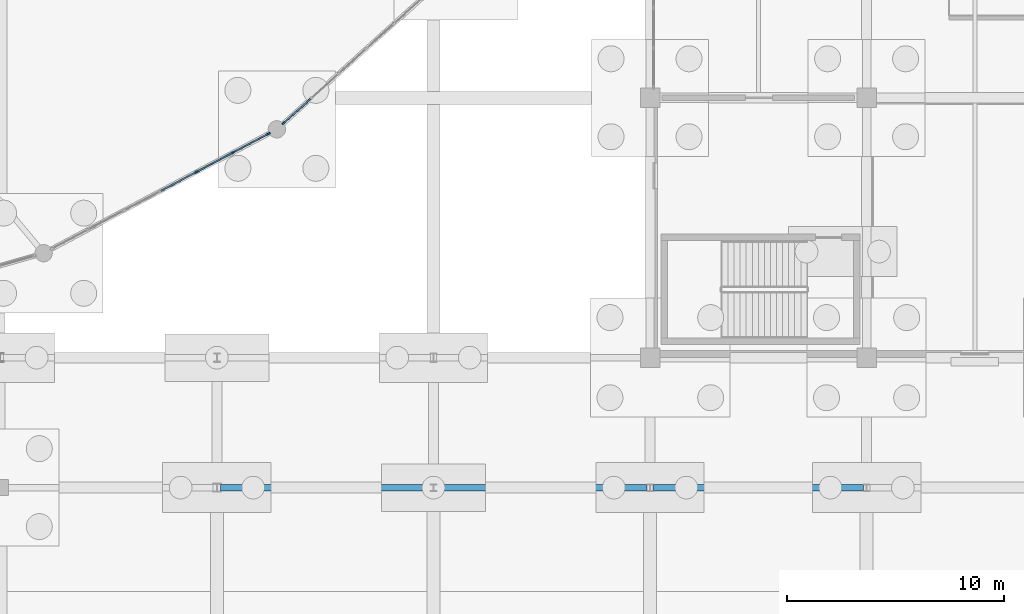
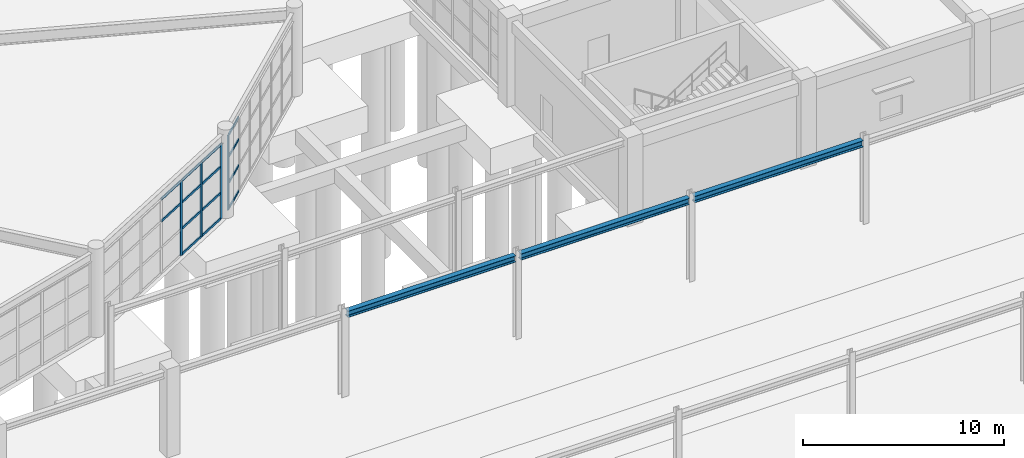
# One storey, part 35 of 99: 18 members, 3 beams, 2 elements without a shape of their own.
"""IFC4 building model written with IfcOpenShell, lengths in metres."""

from ifc_helpers import new_model, si_unit, direction, frame, origin, origin_2d, place, context, subcontext, project, spatial, rectangle, i_section, extrude, material, layer, layer_set, material_profile, profile_set, type_object, element, aggregate, save


model = new_model("IFC4")

# Units and contexts
model_context = context("Model", 3, precision=1e-05, world=origin(), true_north=direction((0.0, 1.0)))
body_context = subcontext(model_context, "Body", "Model", "MODEL_VIEW")
ifc_project = project(units=[si_unit("LENGTHUNIT", "METRE"), si_unit("AREAUNIT", "SQUARE_METRE"), si_unit("VOLUMEUNIT", "CUBIC_METRE"), si_unit("PLANEANGLEUNIT", "RADIAN"), si_unit("MASSUNIT", "GRAM", prefix="KILO")], contexts=[model_context])

# Site, building, storey
site_placement = place(None, origin())
site = spatial("IfcSite", under=ifc_project, at=site_placement, CompositionType="ELEMENT")
building_placement = place(site_placement, origin())
building = spatial("IfcBuilding", under=site, at=building_placement, Name="Kivolera Central Railway Station", CompositionType="ELEMENT")
storey_placement = place(building_placement, origin())
storey = spatial("IfcBuildingStorey", under=building, at=storey_placement, Name="L00", CompositionType="ELEMENT", Elevation=0.0)

# Beams
ifc_material_1 = material(Name="Steel S355", Category="steel")
ifc_material_profile_1 = material_profile(ifc_material_1, i_section(OverallWidth=0.300048828125, OverallDepth=0.389892578125, WebThickness=0.010986328125, FlangeThickness=0.01904296875, FilletRadius=0.027099609375, at=origin_2d()), Name="HEA 400")
ifc_profile_set_1 = profile_set([ifc_material_profile_1], Name="Steel S355")
beam_type = type_object("IfcBeamType", Name="BM-SHD-HEA400", PredefinedType="BEAM", material=ifc_profile_set_1)
beam_placement = place(storey_placement, frame((98.177001953125, 48.0, 4.919921875), z_axis=(1.0, 0.0, 0.0), x_axis=(0.0, 1.0, 0.0)))
element("IfcBeam", 1, at=beam_placement, inside=storey, type_object=beam_type, Name="Train Shed Longitudinal Tie Beam D:10-11", PredefinedType="BEAM", context=body_context, shape_type="SweptSolid", body=[
    extrude(i_section(OverallWidth=0.300048828125, OverallDepth=0.389892578125, WebThickness=0.010986328125, FlangeThickness=0.01904296875, FilletRadius=0.027099609375, at=origin_2d()), origin(), (0.0, 0.0, 1.0), 9.676025390625),
])
for number, where, z_axis, x_axis, name in (
    (2, (108.14697265625, 48.0, 4.919921875), (1.0, 0.0, 0.0), (0.0, 1.0, 0.0), "Train Shed Longitudinal Tie Beam D:11-12"),
    (3, (118.14697265625, 48.0, 4.919921875), (1.0, 0.0, 0.0), (0.0, 1.0, 0.0), "Train Shed Longitudinal Tie Beam D:12-13"),
):
    element("IfcBeam", number, at=place(storey_placement, frame(where, z_axis=z_axis, x_axis=x_axis)), inside=storey, type_object=beam_type, Name=name, PredefinedType="BEAM", context=body_context, shape_type="SweptSolid", body=[
        extrude(i_section(OverallWidth=0.300048828125, OverallDepth=0.389892578125, WebThickness=0.010986328125, FlangeThickness=0.01904296875, FilletRadius=0.027099609375, at=origin_2d()), origin(), (0.0, 0.0, 1.0), 9.7060546875),
    ])

# Curtain wall, members
ifc_material_2 = material(Name="Anodised aluminium", Category="aluminium")
ifc_layer_1 = layer(ifc_material_2, 0.179931640625, Name="Anodised aluminium")
ifc_layer_set_1 = layer_set([ifc_layer_1], Name="Anodised aluminium")
curtain_wall_type_1 = type_object("IfcCurtainWallType", Name="CW-SYS-07", PredefinedType="NOTDEFINED", material=ifc_layer_set_1)
curtain_wall_1_placement = place(storey_placement, origin())
curtain_wall_1 = element("IfcCurtainWall", 4, at=curtain_wall_1_placement, inside=storey, type_object=curtain_wall_type_1, Name="L00 Curtain Wall CW-L00-OVL-20", PredefinedType="NOTDEFINED")
ifc_material_profile_2 = material_profile(ifc_material_2, rectangle(XDim=0.070068359375, YDim=0.179931640625, at=origin_2d()), Name="ALU MULL 70x180")
ifc_profile_set_2 = profile_set([ifc_material_profile_2], Name="Anodised aluminium")
member_type_1 = type_object("IfcMemberType", Name="CWM-MUL-1", PredefinedType="MULLION", material=ifc_profile_set_2)
member_1_placement = place(storey_placement, frame((100.385986328125, 64.339599609375, -0.0048828125), z_axis=(0.0, 0.0, 1.0), x_axis=(0.469052563023, -0.883170251493, 0.0)))
member_1 = element("IfcMember", 5, at=member_1_placement, type_object=member_type_1, Name="CW-07 mullion 1", PredefinedType="MULLION", context=body_context, shape_type="SweptSolid", body=[
    extrude(rectangle(XDim=0.070068359375, YDim=0.179931640625, at=origin_2d()), origin(), (0.0, 0.0, 1.0), 4.554931640625),
])
member_2_placement = place(storey_placement, frame((98.73974609375, 63.465087890625, -0.0048828125), z_axis=(0.0, 0.0, 1.0), x_axis=(0.469052563023, -0.883170251493, 0.0)))
member_2 = element("IfcMember", 6, at=member_2_placement, type_object=member_type_1, Name="CW-07 mullion 2", PredefinedType="MULLION", context=body_context, shape_type="SweptSolid", body=[
    extrude(rectangle(XDim=0.070068359375, YDim=0.179931640625, at=origin_2d()), origin(), (0.0, 0.0, 1.0), 4.554931640625),
])
member_3_placement = place(storey_placement, frame((97.062255859375, 62.57421875, -0.0048828125), z_axis=(0.0, 0.0, 1.0), x_axis=(0.469052563023, -0.883170251493, 0.0)))
member_3 = element("IfcMember", 7, at=member_3_placement, type_object=member_type_1, Name="CW-07 mullion 3", PredefinedType="MULLION", context=body_context, shape_type="SweptSolid", body=[
    extrude(rectangle(XDim=0.070068359375, YDim=0.179931640625, at=origin_2d()), origin(), (0.0, 0.0, 1.0), 4.554931640625),
])

# Curtain wall, member
ifc_layer_2 = layer(ifc_material_2, 0.179931640625, Name="Anodised aluminium")
ifc_layer_set_2 = layer_set([ifc_layer_2], Name="Anodised aluminium")
curtain_wall_type_2 = type_object("IfcCurtainWallType", Name="CW-SYS-04", PredefinedType="NOTDEFINED", material=ifc_layer_set_2)
curtain_wall_2_placement = place(storey_placement, origin())
curtain_wall_2 = element("IfcCurtainWall", 8, at=curtain_wall_2_placement, inside=storey, type_object=curtain_wall_type_2, Name="L00 Curtain Wall CW-L00-OVL-21", PredefinedType="NOTDEFINED")
member_4_placement = place(storey_placement, frame((101.093017578125, 64.83544921875, -0.0048828125), z_axis=(0.0, 0.0, 1.0), x_axis=(0.66992157428, -0.742431871833, 0.0)))
member_4 = element("IfcMember", 9, at=member_4_placement, type_object=member_type_1, Name="CW-04 mullion 7", PredefinedType="MULLION", context=body_context, shape_type="SweptSolid", body=[
    extrude(rectangle(XDim=0.070068359375, YDim=0.179931640625, at=origin_2d()), origin(), (0.0, 0.0, 1.0), 4.554931640625),
])

# Member
ifc_material_profile_3 = material_profile(ifc_material_2, rectangle(XDim=0.070068359375, YDim=0.139892578125, at=origin_2d()), Name="ALU TRAN 70x140")
ifc_profile_set_3 = profile_set([ifc_material_profile_3], Name="Anodised aluminium")
member_type_2 = type_object("IfcMemberType", Name="CWM-TRN-1", PredefinedType="USERDEFINED", material=ifc_profile_set_3)
member_5_placement = place(storey_placement, frame((100.355224609375, 64.3232421875, 0.034912109375), z_axis=(-0.883191460259, -0.469012627255, 0.0), x_axis=(0.469012627255, -0.883191460259, 0.0)))
member_5 = element("IfcMember", 10, at=member_5_placement, type_object=member_type_2, Name="CW-07 transom 1.1", ObjectType="TRANSOM", PredefinedType="USERDEFINED", context=body_context, shape_type="SweptSolid", body=[
    extrude(rectangle(XDim=0.070068359375, YDim=0.139892578125, at=origin_2d()), origin(), (0.0, 0.0, 1.0), 1.794189453125),
])

member_6_placement = place(storey_placement, frame((100.355224609375, 64.3232421875, 1.592529296875), z_axis=(-0.883191460259, -0.469012627255, 0.0), x_axis=(0.469012627255, -0.883191460259, 0.0)))
member_6 = element("IfcMember", 11, at=member_6_placement, type_object=member_type_2, Name="CW-07 transom 1.2", ObjectType="TRANSOM", PredefinedType="USERDEFINED", context=body_context, shape_type="SweptSolid", body=[
    extrude(rectangle(XDim=0.070068359375, YDim=0.139892578125, at=origin_2d()), origin(), (0.0, 0.0, 1.0), 1.794189453125),
])

member_7_placement = place(storey_placement, frame((100.355224609375, 64.3232421875, 3.18505859375), z_axis=(-0.883191460259, -0.469012627255, 0.0), x_axis=(0.469012627255, -0.883191460259, 0.0)))
member_7 = element("IfcMember", 12, at=member_7_placement, type_object=member_type_2, Name="CW-07 transom 1.3", ObjectType="TRANSOM", PredefinedType="USERDEFINED", context=body_context, shape_type="SweptSolid", body=[
    extrude(rectangle(XDim=0.070068359375, YDim=0.139892578125, at=origin_2d()), origin(), (0.0, 0.0, 1.0), 1.794189453125),
])

member_8_placement = place(storey_placement, frame((100.355224609375, 64.3232421875, 4.514892578125), z_axis=(-0.883191460259, -0.469012627255, 0.0), x_axis=(0.469012627255, -0.883191460259, 0.0)))
member_8 = element("IfcMember", 13, at=member_8_placement, type_object=member_type_2, Name="CW-07 transom 1.4", ObjectType="TRANSOM", PredefinedType="USERDEFINED", context=body_context, shape_type="SweptSolid", body=[
    extrude(rectangle(XDim=0.070068359375, YDim=0.139892578125, at=origin_2d()), origin(), (0.0, 0.0, 1.0), 1.794189453125),
])

member_9_placement = place(storey_placement, frame((98.708740234375, 63.44873046875, 0.034912109375), z_axis=(-0.88318656257, -0.469021849913, 0.0), x_axis=(0.469021849913, -0.88318656257, 0.0)))
member_9 = element("IfcMember", 14, at=member_9_placement, type_object=member_type_2, Name="CW-07 transom 2.1", ObjectType="TRANSOM", PredefinedType="USERDEFINED", context=body_context, shape_type="SweptSolid", body=[
    extrude(rectangle(XDim=0.070068359375, YDim=0.139892578125, at=origin_2d()), origin(), (0.0, 0.0, 1.0), 1.8291015625),
])

member_10_placement = place(storey_placement, frame((98.708740234375, 63.44873046875, 1.592529296875), z_axis=(-0.88318656257, -0.469021849913, 0.0), x_axis=(0.469021849913, -0.88318656257, 0.0)))
member_10 = element("IfcMember", 15, at=member_10_placement, type_object=member_type_2, Name="CW-07 transom 2.2", ObjectType="TRANSOM", PredefinedType="USERDEFINED", context=body_context, shape_type="SweptSolid", body=[
    extrude(rectangle(XDim=0.070068359375, YDim=0.139892578125, at=origin_2d()), origin(), (0.0, 0.0, 1.0), 1.8291015625),
])

member_11_placement = place(storey_placement, frame((98.708740234375, 63.44873046875, 3.18505859375), z_axis=(-0.88318656257, -0.469021849913, 0.0), x_axis=(0.469021849913, -0.88318656257, 0.0)))
member_11 = element("IfcMember", 16, at=member_11_placement, type_object=member_type_2, Name="CW-07 transom 2.3", ObjectType="TRANSOM", PredefinedType="USERDEFINED", context=body_context, shape_type="SweptSolid", body=[
    extrude(rectangle(XDim=0.070068359375, YDim=0.139892578125, at=origin_2d()), origin(), (0.0, 0.0, 1.0), 1.8291015625),
])

member_12_placement = place(storey_placement, frame((98.708740234375, 63.44873046875, 4.514892578125), z_axis=(-0.88318656257, -0.469021849913, 0.0), x_axis=(0.469021849913, -0.88318656257, 0.0)))
member_12 = element("IfcMember", 17, at=member_12_placement, type_object=member_type_2, Name="CW-07 transom 2.4", ObjectType="TRANSOM", PredefinedType="USERDEFINED", context=body_context, shape_type="SweptSolid", body=[
    extrude(rectangle(XDim=0.070068359375, YDim=0.139892578125, at=origin_2d()), origin(), (0.0, 0.0, 1.0), 1.8291015625),
])

member_13_placement = place(storey_placement, frame((97.031494140625, 62.557861328125, 3.18505859375), z_axis=(-0.88318656257, -0.469021849913, 0.0), x_axis=(0.469021849913, -0.88318656257, 0.0)))
member_13 = element("IfcMember", 18, at=member_13_placement, type_object=member_type_2, Name="CW-07 transom 3.3", ObjectType="TRANSOM", PredefinedType="USERDEFINED", context=body_context, shape_type="SweptSolid", body=[
    extrude(rectangle(XDim=0.070068359375, YDim=0.139892578125, at=origin_2d()), origin(), (0.0, 0.0, 1.0), 1.8291015625),
])

member_14_placement = place(storey_placement, frame((97.031494140625, 62.557861328125, 4.514892578125), z_axis=(-0.88318656257, -0.469021849913, 0.0), x_axis=(0.469021849913, -0.88318656257, 0.0)))
member_14 = element("IfcMember", 19, at=member_14_placement, type_object=member_type_2, Name="CW-07 transom 3.4", ObjectType="TRANSOM", PredefinedType="USERDEFINED", context=body_context, shape_type="SweptSolid", body=[
    extrude(rectangle(XDim=0.070068359375, YDim=0.139892578125, at=origin_2d()), origin(), (0.0, 0.0, 1.0), 1.8291015625),
])

aggregate(curtain_wall_1, [member_1, member_2, member_3, member_5, member_6, member_7, member_8, member_9, member_10, member_11, member_12, member_13, member_14])

member_15_placement = place(storey_placement, frame((102.319091796875, 65.94189453125, 0.034912109375), z_axis=(-0.742422429893, -0.66993203804, 0.0), x_axis=(0.66993203804, -0.742422429893, 0.0)))
member_15 = element("IfcMember", 20, at=member_15_placement, type_object=member_type_2, Name="CW-04 transom 6.1", ObjectType="TRANSOM", PredefinedType="USERDEFINED", context=body_context, shape_type="SweptSolid", body=[
    extrude(rectangle(XDim=0.070068359375, YDim=0.139892578125, at=origin_2d()), origin(), (0.0, 0.0, 1.0), 1.61669921875),
])

member_16_placement = place(storey_placement, frame((102.319091796875, 65.94189453125, 1.592529296875), z_axis=(-0.742422429893, -0.66993203804, 0.0), x_axis=(0.66993203804, -0.742422429893, 0.0)))
member_16 = element("IfcMember", 21, at=member_16_placement, type_object=member_type_2, Name="CW-04 transom 6.2", ObjectType="TRANSOM", PredefinedType="USERDEFINED", context=body_context, shape_type="SweptSolid", body=[
    extrude(rectangle(XDim=0.070068359375, YDim=0.139892578125, at=origin_2d()), origin(), (0.0, 0.0, 1.0), 1.61669921875),
])

member_17_placement = place(storey_placement, frame((102.319091796875, 65.94189453125, 3.18505859375), z_axis=(-0.742422429893, -0.66993203804, 0.0), x_axis=(0.66993203804, -0.742422429893, 0.0)))
member_17 = element("IfcMember", 22, at=member_17_placement, type_object=member_type_2, Name="CW-04 transom 6.3", ObjectType="TRANSOM", PredefinedType="USERDEFINED", context=body_context, shape_type="SweptSolid", body=[
    extrude(rectangle(XDim=0.070068359375, YDim=0.139892578125, at=origin_2d()), origin(), (0.0, 0.0, 1.0), 1.61669921875),
])

member_18_placement = place(storey_placement, frame((102.319091796875, 65.94189453125, 4.514892578125), z_axis=(-0.742422429893, -0.66993203804, 0.0), x_axis=(0.66993203804, -0.742422429893, 0.0)))
member_18 = element("IfcMember", 23, at=member_18_placement, type_object=member_type_2, Name="CW-04 transom 6.4", ObjectType="TRANSOM", PredefinedType="USERDEFINED", context=body_context, shape_type="SweptSolid", body=[
    extrude(rectangle(XDim=0.070068359375, YDim=0.139892578125, at=origin_2d()), origin(), (0.0, 0.0, 1.0), 1.61669921875),
])

aggregate(curtain_wall_2, [member_4, member_15, member_16, member_17, member_18])

save(model, "model.ifc")
